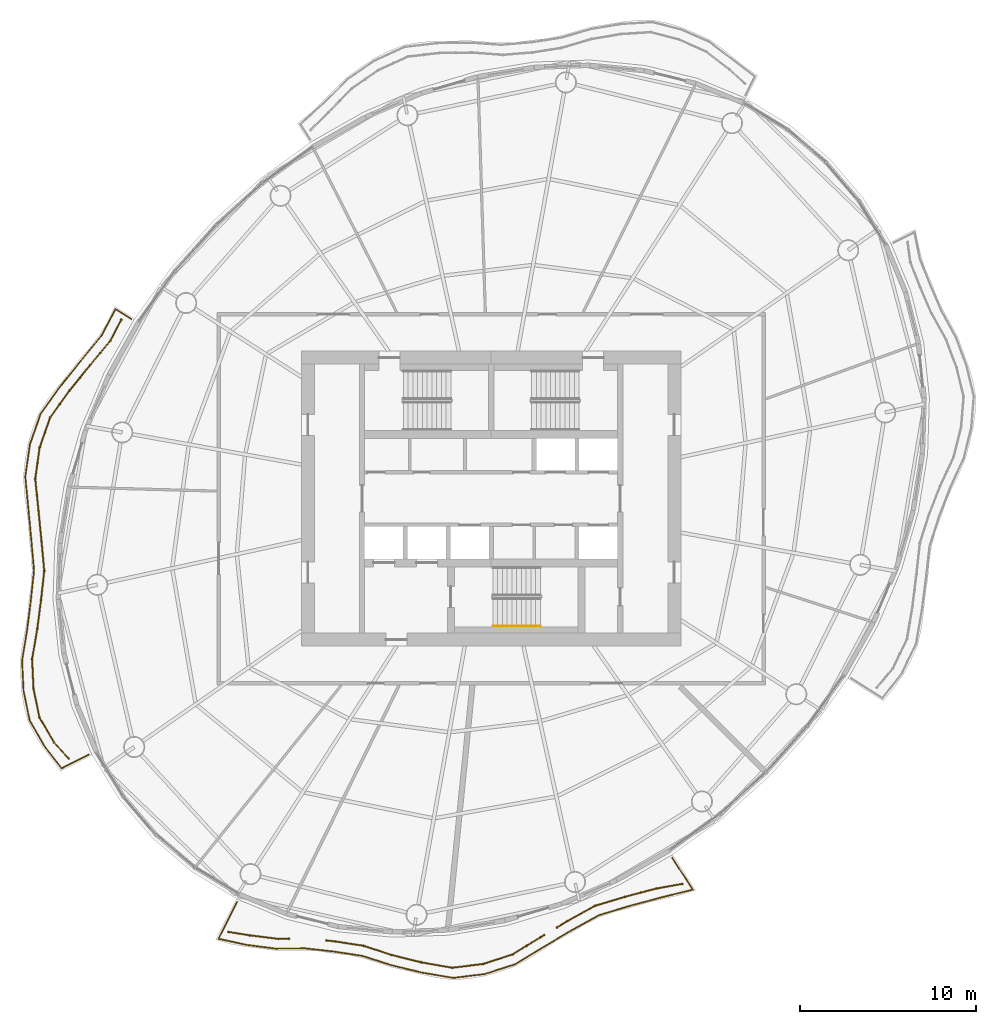
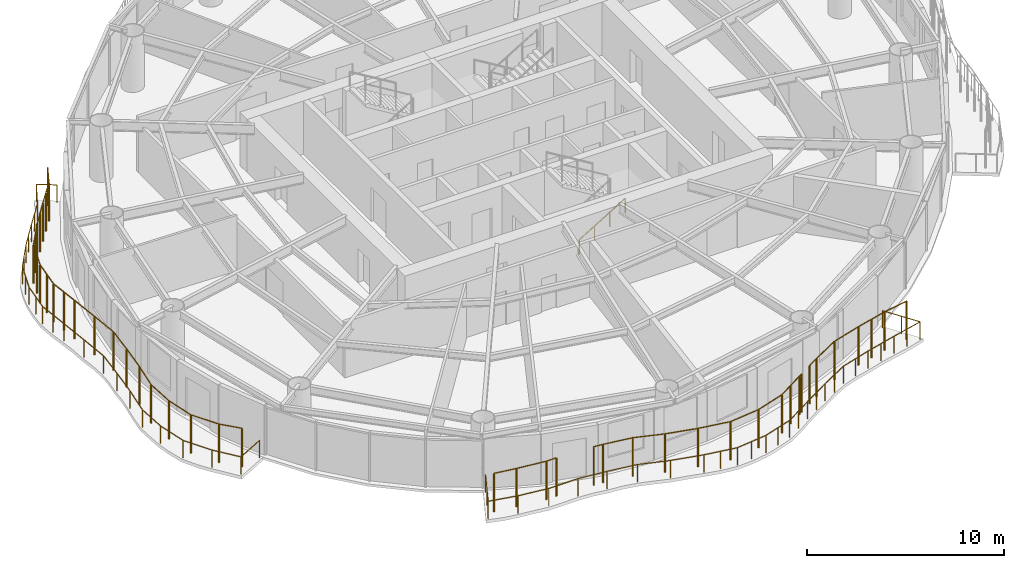
# One storey, part 12 of 14: 7 railings.
"""IFC4 building model written with IfcOpenShell, lengths in metres."""

from ifc_helpers import new_model, si_unit, direction, frame, origin, origin_2d, place, context, subcontext, project, spatial, circle, extrude, material, type_object, element, save


model = new_model("IFC4")

# Units and contexts
model_context = context("Model", 3, precision=1e-05, world=origin(), true_north=direction((0.0, 1.0)))
body_context = subcontext(model_context, "Body", "Model", "MODEL_VIEW")
ifc_project = project(units=[si_unit("LENGTHUNIT", "METRE"), si_unit("AREAUNIT", "SQUARE_METRE"), si_unit("VOLUMEUNIT", "CUBIC_METRE"), si_unit("PLANEANGLEUNIT", "RADIAN"), si_unit("MASSUNIT", "GRAM", prefix="KILO")], contexts=[model_context])

# Site, building, storey
site_placement = place(None, origin())
site = spatial("IfcSite", under=ifc_project, at=site_placement, CompositionType="ELEMENT")
building_placement = place(site_placement, origin())
building = spatial("IfcBuilding", under=site, at=building_placement, Name="Vermilion Reach Broadcast Tower", CompositionType="ELEMENT")
storey_placement = place(building_placement, frame((0.0, 0.0, 213.699951171875)))
storey = spatial("IfcBuildingStorey", under=building, at=storey_placement, Name="L52", CompositionType="ELEMENT", Elevation=213.699951171875)

# Railings
ifc_material_1 = material(Name="Terracotta baguette", Category="masonry")
railing_type_1 = type_object("IfcRailingType", Name="BAGUETTE SCREEN", PredefinedType="USERDEFINED", material=ifc_material_1)
railing_1_placement = place(storey_placement, frame((-27.052490234375, 10.18798828125, 0.0)))
element("IfcRailing", 1, at=railing_1_placement, inside=storey, type_object=railing_type_1, Name="Baguette screen L52 group 2", ObjectType="BAGUETTE SCREEN", PredefinedType="USERDEFINED", context=body_context, shape_type="SweptSolid", body=[
    extrude(circle(Radius=0.030029296875, at=origin_2d()), frame((0.0, 0.0, 2.369873046875), z_axis=(-0.460423485427, -0.887699393977, 0.0), x_axis=(0.887699393977, -0.460423485427, 0.0)), (0.0, 0.0, 1.0), 1.340576171875),
    extrude(circle(Radius=0.030029296875, at=origin_2d()), frame((-0.6171875, -1.18994140625, 2.369873046875), z_axis=(-0.638902336202, -0.769287855614, 0.0), x_axis=(0.769287855614, -0.638902336202, 0.0)), (0.0, 0.0, 1.0), 1.8369140625),
    extrude(circle(Radius=0.030029296875, at=origin_2d()), frame((-1.790771484375, -2.60302734375, 2.369873046875), z_axis=(-0.627538412684, -0.778585602619, 0.0), x_axis=(0.778585602619, -0.627538412684, 0.0)), (0.0, 0.0, 1.0), 1.8505859375),
    extrude(circle(Radius=0.030029296875, at=origin_2d()), frame((-2.9521484375, -4.0439453125, 2.369873046875), z_axis=(-0.584092894691, -0.811686817911, 0.0), x_axis=(0.811686817911, -0.584092894691, 0.0)), (0.0, 0.0, 1.0), 1.882568359375),
    extrude(circle(Radius=0.030029296875, at=origin_2d()), frame((-4.0517578125, -5.572021484375, 2.369873046875), z_axis=(-0.330971411696, -0.943640781569, 0.0), x_axis=(0.943640781569, -0.330971411696, 0.0)), (0.0, 0.0, 1.0), 1.803466796875),
    extrude(circle(Radius=0.030029296875, at=origin_2d()), frame((-4.648681640625, -7.27392578125, 2.369873046875), z_axis=(-0.13912289106, -0.990275123985, 0.0), x_axis=(0.990275123985, -0.13912289106, 0.0)), (0.0, 0.0, 1.0), 1.814453125),
    extrude(circle(Radius=0.030029296875, at=origin_2d()), frame((-4.901123046875, -9.07080078125, 2.369873046875), z_axis=(0.102812144868, -0.994700790624, 0.0), x_axis=(0.994700790624, 0.102812144868, 0.0)), (0.0, 0.0, 1.0), 1.81884765625),
    extrude(circle(Radius=0.030029296875, at=origin_2d()), frame((-4.714111328125, -10.880126953125, 2.369873046875), z_axis=(0.09803460851, -0.995183006052, 0.0), x_axis=(0.995183006052, 0.09803460851, 0.0)), (0.0, 0.0, 1.0), 1.7607421875),
    extrude(circle(Radius=0.030029296875, at=origin_2d()), frame((-4.54150390625, -12.63232421875, 2.369873046875), z_axis=(0.091482896429, -0.995806647729, 0.0), x_axis=(0.995806647729, 0.091482896429, 0.0)), (0.0, 0.0, 1.0), 1.67333984375),
    extrude(circle(Radius=0.030029296875, at=origin_2d()), frame((-4.388427734375, -14.298583984375, 2.369873046875), z_axis=(-0.108513469623, -0.994094978818, 0.0), x_axis=(0.994094978818, -0.108513469623, 0.0)), (0.0, 0.0, 1.0), 1.66259765625),
    extrude(circle(Radius=0.030029296875, at=origin_2d()), frame((-4.56884765625, -15.951416015625, 2.369873046875), z_axis=(-0.129043862822, -0.991638886626, 0.0), x_axis=(0.991638886626, -0.129043862822, 0.0)), (0.0, 0.0, 1.0), 1.6611328125),
    extrude(circle(Radius=0.030029296875, at=origin_2d()), frame((-4.783203125, -17.5986328125, 2.369873046875), z_axis=(-0.169072586116, -0.985603602177, 0.0), x_axis=(0.985603602177, -0.169072586116, 0.0)), (0.0, 0.0, 1.0), 1.744384765625),
    extrude(circle(Radius=0.030029296875, at=origin_2d()), frame((-5.078125, -19.31787109375, 2.369873046875), z_axis=(0.044891959312, -0.998991847809, 0.0), x_axis=(0.998991847809, 0.044891959312, 0.0)), (0.0, 0.0, 1.0), 1.675048828125),
    extrude(circle(Radius=0.030029296875, at=origin_2d()), frame((-5.0029296875, -20.9912109375, 2.369873046875), z_axis=(0.201624188355, -0.979462958294, 0.0), x_axis=(0.979462958294, 0.201624188355, 0.0)), (0.0, 0.0, 1.0), 1.67822265625),
    extrude(circle(Radius=0.030029296875, at=origin_2d()), frame((-4.66455078125, -22.635009765625, 2.369873046875), z_axis=(0.504227658984, -0.863570766015, 0.0), x_axis=(0.863570766015, 0.504227658984, 0.0)), (0.0, 0.0, 1.0), 1.659912109375),
    extrude(circle(Radius=0.030029296875, at=origin_2d()), frame((-3.82763671875, -24.068359375, 2.369873046875), z_axis=(0.672652912244, -0.739958147228, 0.0), x_axis=(0.739958147228, 0.672652912244, 0.0)), (0.0, 0.0, 1.0), 1.222412109375),
    extrude(circle(Radius=0.050048828125, at=origin_2d()), origin(), (0.0, 0.0, 1.0), 2.33984375),
    extrude(circle(Radius=0.050048828125, at=origin_2d()), frame((-0.6171875, -1.18994140625, 0.0)), (0.0, 0.0, 1.0), 2.33984375),
    extrude(circle(Radius=0.050048828125, at=origin_2d()), frame((-1.2041015625, -1.896484375, 0.0)), (0.0, 0.0, 1.0), 2.33984375),
    extrude(circle(Radius=0.050048828125, at=origin_2d()), frame((-1.790771484375, -2.60302734375, 0.0)), (0.0, 0.0, 1.0), 2.33984375),
    extrude(circle(Radius=0.050048828125, at=origin_2d()), frame((-2.37158203125, -3.323486328125, 0.0)), (0.0, 0.0, 1.0), 2.33984375),
    extrude(circle(Radius=0.050048828125, at=origin_2d()), frame((-2.9521484375, -4.0439453125, 0.0)), (0.0, 0.0, 1.0), 2.33984375),
    extrude(circle(Radius=0.050048828125, at=origin_2d()), frame((-3.501953125, -4.80810546875, 0.0)), (0.0, 0.0, 1.0), 2.33984375),
    extrude(circle(Radius=0.050048828125, at=origin_2d()), frame((-4.0517578125, -5.572021484375, 0.0)), (0.0, 0.0, 1.0), 2.33984375),
    extrude(circle(Radius=0.050048828125, at=origin_2d()), frame((-4.35009765625, -6.4228515625, 0.0)), (0.0, 0.0, 1.0), 2.33984375),
    extrude(circle(Radius=0.050048828125, at=origin_2d()), frame((-4.648681640625, -7.27392578125, 0.0)), (0.0, 0.0, 1.0), 2.33984375),
    extrude(circle(Radius=0.050048828125, at=origin_2d()), frame((-4.77490234375, -8.17236328125, 0.0)), (0.0, 0.0, 1.0), 2.33984375),
    extrude(circle(Radius=0.050048828125, at=origin_2d()), frame((-4.901123046875, -9.07080078125, 0.0)), (0.0, 0.0, 1.0), 2.33984375),
    extrude(circle(Radius=0.050048828125, at=origin_2d()), frame((-4.8076171875, -9.9755859375, 0.0)), (0.0, 0.0, 1.0), 2.33984375),
    extrude(circle(Radius=0.050048828125, at=origin_2d()), frame((-4.714111328125, -10.880126953125, 0.0)), (0.0, 0.0, 1.0), 2.33984375),
    extrude(circle(Radius=0.050048828125, at=origin_2d()), frame((-4.54150390625, -12.63232421875, 0.0)), (0.0, 0.0, 1.0), 2.33984375),
    extrude(circle(Radius=0.050048828125, at=origin_2d()), frame((-4.388427734375, -14.298583984375, 0.0)), (0.0, 0.0, 1.0), 2.33984375),
    extrude(circle(Radius=0.050048828125, at=origin_2d()), frame((-4.56884765625, -15.951416015625, 0.0)), (0.0, 0.0, 1.0), 2.33984375),
    extrude(circle(Radius=0.050048828125, at=origin_2d()), frame((-4.783203125, -17.5986328125, 0.0)), (0.0, 0.0, 1.0), 2.33984375),
    extrude(circle(Radius=0.050048828125, at=origin_2d()), frame((-5.078125, -19.31787109375, 0.0)), (0.0, 0.0, 1.0), 2.33984375),
    extrude(circle(Radius=0.050048828125, at=origin_2d()), frame((-5.0029296875, -20.9912109375, 0.0)), (0.0, 0.0, 1.0), 2.33984375),
    extrude(circle(Radius=0.050048828125, at=origin_2d()), frame((-4.66455078125, -22.635009765625, 0.0)), (0.0, 0.0, 1.0), 2.33984375),
    extrude(circle(Radius=0.050048828125, at=origin_2d()), frame((-3.82763671875, -24.068359375, 0.0)), (0.0, 0.0, 1.0), 2.33984375),
    extrude(circle(Radius=0.050048828125, at=origin_2d()), frame((-3.00537109375, -24.972900390625, 0.0)), (0.0, 0.0, 1.0), 2.33984375),
])
railing_2_placement = place(storey_placement, frame((-20.95703125, -24.65966796875, 0.0)))
element("IfcRailing", 2, at=railing_2_placement, inside=storey, type_object=railing_type_1, Name="Baguette screen L52 group 3 part 1", ObjectType="BAGUETTE SCREEN", PredefinedType="USERDEFINED", context=body_context, shape_type="SweptSolid", body=[
    extrude(circle(Radius=0.030029296875, at=origin_2d()), frame((0.0, 0.0, 2.369873046875), z_axis=(0.987264246208, -0.159088994466, 0.0), x_axis=(0.159088994466, 0.987264246208, 0.0)), (0.0, 0.0, 1.0), 1.230712890625),
    extrude(circle(Radius=0.030029296875, at=origin_2d()), frame((1.215087890625, -0.19580078125, 2.369873046875), z_axis=(0.992371063265, -0.123286953059, 0.0), x_axis=(0.123286953059, 0.992371063265, 0.0)), (0.0, 0.0, 1.0), 1.6474609375),
    extrude(circle(Radius=0.030029296875, at=origin_2d()), frame((2.85009765625, -0.39892578125, 2.369873046875), z_axis=(0.999917963105, 0.01280886647, 0.0), x_axis=(-0.01280886647, 0.999917963105, 0.0)), (0.0, 0.0, 1.0), 0.5908203125),
    extrude(circle(Radius=0.050048828125, at=origin_2d()), origin(), (0.0, 0.0, 1.0), 2.33984375),
    extrude(circle(Radius=0.050048828125, at=origin_2d()), frame((1.215087890625, -0.19580078125, 0.0)), (0.0, 0.0, 1.0), 2.33984375),
    extrude(circle(Radius=0.050048828125, at=origin_2d()), frame((2.85009765625, -0.39892578125, 0.0)), (0.0, 0.0, 1.0), 2.33984375),
    extrude(circle(Radius=0.050048828125, at=origin_2d()), frame((3.44091796875, -0.391357421875, 0.0)), (0.0, 0.0, 1.0), 2.33984375),
])
railing_3_placement = place(storey_placement, frame((-15.377685546875, -25.149658203125, 0.0)))
element("IfcRailing", 3, at=railing_3_placement, inside=storey, type_object=railing_type_1, Name="Baguette screen L52 group 3 part 2", ObjectType="BAGUETTE SCREEN", PredefinedType="USERDEFINED", context=body_context, shape_type="SweptSolid", body=[
    extrude(circle(Radius=0.030029296875, at=origin_2d()), frame((0.0, 0.0, 2.369873046875), z_axis=(0.994338955631, -0.106254606085, 0.0), x_axis=(0.106254606085, 0.994338955631, 0.0)), (0.0, 0.0, 1.0), 0.526123046875),
    extrude(circle(Radius=0.030029296875, at=origin_2d()), frame((0.523193359375, -0.055908203125, 2.369873046875), z_axis=(0.988284010952, -0.152626058379, 0.0), x_axis=(0.152626058379, 0.988284010952, 0.0)), (0.0, 0.0, 1.0), 1.6123046875),
    extrude(circle(Radius=0.030029296875, at=origin_2d()), frame((2.11669921875, -0.302001953125, 2.369873046875), z_axis=(0.95019988071, -0.311641118432, 0.0), x_axis=(0.311641118432, 0.95019988071, 0.0)), (0.0, 0.0, 1.0), 1.677978515625),
    extrude(circle(Radius=0.030029296875, at=origin_2d()), frame((3.711181640625, -0.824951171875, 2.369873046875), z_axis=(0.970698761228, -0.240299635767, 0.0), x_axis=(0.240299635767, 0.970698761228, 0.0)), (0.0, 0.0, 1.0), 1.74755859375),
    extrude(circle(Radius=0.030029296875, at=origin_2d()), frame((5.407470703125, -1.244873046875, 2.369873046875), z_axis=(0.984834885977, -0.173494228618, 0.0), x_axis=(0.173494228618, 0.984834885977, 0.0)), (0.0, 0.0, 1.0), 1.770263671875),
    extrude(circle(Radius=0.030029296875, at=origin_2d()), frame((7.15087890625, -1.552001953125, 2.369873046875), z_axis=(0.992610756415, 0.121342021782, 0.0), x_axis=(-0.121342021782, 0.992610756415, 0.0)), (0.0, 0.0, 1.0), 1.774658203125),
    extrude(circle(Radius=0.030029296875, at=origin_2d()), frame((8.912353515625, -1.336669921875, 2.369873046875), z_axis=(0.951424380127, 0.307882524513, 0.0), x_axis=(-0.307882524513, 0.951424380127, 0.0)), (0.0, 0.0, 1.0), 1.775390625),
    extrude(circle(Radius=0.030029296875, at=origin_2d()), frame((10.6015625, -0.7900390625, 2.369873046875), z_axis=(0.851554667391, 0.524265818497, 0.0), x_axis=(-0.524265818497, 0.851554667391, 0.0)), (0.0, 0.0, 1.0), 1.8603515625),
    extrude(circle(Radius=0.030029296875, at=origin_2d()), frame((12.185791015625, 0.185302734375, 2.369873046875), z_axis=(0.857675446499, 0.514191431737, 0.0), x_axis=(-0.514191431737, 0.857675446499, 0.0)), (0.0, 0.0, 1.0), 0.236083984375),
    extrude(circle(Radius=0.050048828125, at=origin_2d()), origin(), (0.0, 0.0, 1.0), 2.33984375),
    extrude(circle(Radius=0.050048828125, at=origin_2d()), frame((0.523193359375, -0.055908203125, 0.0)), (0.0, 0.0, 1.0), 2.33984375),
    extrude(circle(Radius=0.050048828125, at=origin_2d()), frame((2.11669921875, -0.302001953125, 0.0)), (0.0, 0.0, 1.0), 2.33984375),
    extrude(circle(Radius=0.050048828125, at=origin_2d()), frame((3.711181640625, -0.824951171875, 0.0)), (0.0, 0.0, 1.0), 2.33984375),
    extrude(circle(Radius=0.050048828125, at=origin_2d()), frame((5.407470703125, -1.244873046875, 0.0)), (0.0, 0.0, 1.0), 2.33984375),
    extrude(circle(Radius=0.050048828125, at=origin_2d()), frame((7.15087890625, -1.552001953125, 0.0)), (0.0, 0.0, 1.0), 2.33984375),
    extrude(circle(Radius=0.050048828125, at=origin_2d()), frame((8.912353515625, -1.336669921875, 0.0)), (0.0, 0.0, 1.0), 2.33984375),
    extrude(circle(Radius=0.050048828125, at=origin_2d()), frame((10.6015625, -0.7900390625, 0.0)), (0.0, 0.0, 1.0), 2.33984375),
    extrude(circle(Radius=0.050048828125, at=origin_2d()), frame((11.3935546875, -0.30224609375, 0.0)), (0.0, 0.0, 1.0), 2.33984375),
    extrude(circle(Radius=0.050048828125, at=origin_2d()), frame((12.185791015625, 0.185302734375, 0.0)), (0.0, 0.0, 1.0), 2.33984375),
    extrude(circle(Radius=0.050048828125, at=origin_2d()), frame((12.38818359375, 0.306640625, 0.0)), (0.0, 0.0, 1.0), 2.33984375),
])
railing_4_placement = place(storey_placement, frame((-2.260986328125, -24.405517578125, 0.0)))
element("IfcRailing", 4, at=railing_4_placement, inside=storey, type_object=railing_type_1, Name="Baguette screen L52 group 3 part 3", ObjectType="BAGUETTE SCREEN", PredefinedType="USERDEFINED", context=body_context, shape_type="SweptSolid", body=[
    extrude(circle(Radius=0.030029296875, at=origin_2d()), frame((0.0, 0.0, 2.369873046875), z_axis=(0.857279860929, 0.514850696849, 0.0), x_axis=(-0.514850696849, 0.857279860929, 0.0)), (0.0, 0.0, 1.0), 0.7080078125),
    extrude(circle(Radius=0.030029296875, at=origin_2d()), frame((0.60693359375, 0.364501953125, 2.369873046875), z_axis=(0.874312492268, 0.485363436884, 0.0), x_axis=(-0.485363436884, 0.874312492268, 0.0)), (0.0, 0.0, 1.0), 1.780029296875),
    extrude(circle(Radius=0.030029296875, at=origin_2d()), frame((2.163330078125, 1.228515625, 2.369873046875), z_axis=(0.957618504132, 0.288039581558, 0.0), x_axis=(-0.288039581558, 0.957618504132, 0.0)), (0.0, 0.0, 1.0), 1.78076171875),
    extrude(circle(Radius=0.030029296875, at=origin_2d()), frame((3.86865234375, 1.741455078125, 2.369873046875), z_axis=(0.96720194559, 0.254008654277, 0.0), x_axis=(-0.254008654277, 0.96720194559, 0.0)), (0.0, 0.0, 1.0), 1.85986328125),
    extrude(circle(Radius=0.030029296875, at=origin_2d()), frame((5.66748046875, 2.2138671875, 2.369873046875), z_axis=(0.984267539346, 0.176684495614, 0.0), x_axis=(-0.176684495614, 0.984267539346, 0.0)), (0.0, 0.0, 1.0), 1.484130859375),
    extrude(circle(Radius=0.050048828125, at=origin_2d()), origin(), (0.0, 0.0, 1.0), 2.33984375),
    extrude(circle(Radius=0.050048828125, at=origin_2d()), frame((0.60693359375, 0.364501953125, 0.0)), (0.0, 0.0, 1.0), 2.33984375),
    extrude(circle(Radius=0.050048828125, at=origin_2d()), frame((2.163330078125, 1.228515625, 0.0)), (0.0, 0.0, 1.0), 2.33984375),
    extrude(circle(Radius=0.050048828125, at=origin_2d()), frame((3.86865234375, 1.741455078125, 0.0)), (0.0, 0.0, 1.0), 2.33984375),
    extrude(circle(Radius=0.050048828125, at=origin_2d()), frame((4.76806640625, 1.9775390625, 0.0)), (0.0, 0.0, 1.0), 2.33984375),
    extrude(circle(Radius=0.050048828125, at=origin_2d()), frame((5.66748046875, 2.2138671875, 0.0)), (0.0, 0.0, 1.0), 2.33984375),
    extrude(circle(Radius=0.050048828125, at=origin_2d()), frame((7.128173828125, 2.47607421875, 0.0)), (0.0, 0.0, 1.0), 2.33984375),
])
ifc_material_2 = material(Name="Stainless steel 316 balustrade", Category="steel")
railing_type_2 = type_object("IfcRailingType", Name="Balcony guard 1100", PredefinedType="BALUSTRADE", material=ifc_material_2)
railing_5_placement = place(storey_placement, frame((-26.48828125, 10.2197265625, 0.0)))
element("IfcRailing", 5, at=railing_5_placement, inside=storey, type_object=railing_type_2, Name="Balcony guard L52 group 2", PredefinedType="BALUSTRADE", context=body_context, shape_type="SweptSolid", body=[
    extrude(circle(Radius=0.02490234375, at=origin_2d()), frame((0.0, 0.0, 1.0751953125), z_axis=(-0.843728054529, 0.536770872906, 0.0), x_axis=(-0.536770872906, -0.843728054529, 0.0)), (0.0, 0.0, 1.0), 1.05712890625),
    extrude(circle(Radius=0.02490234375, at=origin_2d()), frame((-0.891845703125, 0.5673828125, 1.0751953125), z_axis=(-0.467182391972, -0.88416096534, 0.0), x_axis=(0.88416096534, -0.467182391972, 0.0)), (0.0, 0.0, 1.0), 1.7021484375),
    extrude(circle(Radius=0.02490234375, at=origin_2d()), frame((-1.68701171875, -0.9375, 1.0751953125), z_axis=(-0.636050605807, -0.771647346171, 0.0), x_axis=(0.771647346171, -0.636050605807, 0.0)), (0.0, 0.0, 1.0), 1.868896484375),
    extrude(circle(Radius=0.02490234375, at=origin_2d()), frame((-2.875732421875, -2.379638671875, 1.0751953125), z_axis=(-0.624204627721, -0.781260892872, 0.0), x_axis=(0.781260892872, -0.624204627721, 0.0)), (0.0, 0.0, 1.0), 1.882568359375),
    extrude(circle(Radius=0.02490234375, at=origin_2d()), frame((-4.05078125, -3.850341796875, 1.0751953125), z_axis=(-0.580490364428, -0.814267116373, 0.0), x_axis=(0.814267116373, -0.580490364428, 0.0)), (0.0, 0.0, 1.0), 1.915283203125),
    extrude(circle(Radius=0.02490234375, at=origin_2d()), frame((-5.16259765625, -5.409912109375, 1.0751953125), z_axis=(-0.330581236257, -0.94377754065, 0.0), x_axis=(0.94377754065, -0.330581236257, 0.0)), (0.0, 0.0, 1.0), 1.83740234375),
    extrude(circle(Radius=0.02490234375, at=origin_2d()), frame((-5.77001953125, -7.14404296875, 1.0751953125), z_axis=(-0.141236558276, -0.98997587577, 0.0), x_axis=(0.98997587577, -0.141236558276, 0.0)), (0.0, 0.0, 1.0), 1.849609375),
    extrude(circle(Radius=0.02490234375, at=origin_2d()), frame((-6.03125, -8.97509765625, 1.0751953125), z_axis=(0.097364162072, -0.995248823131, 0.0), x_axis=(0.995248823131, 0.097364162072, 0.0)), (0.0, 0.0, 1.0), 1.85302734375),
    extrude(circle(Radius=0.02490234375, at=origin_2d()), frame((-5.850830078125, -10.8193359375, 1.0751953125), z_axis=(0.093328083827, -0.99563540956, 0.0), x_axis=(0.99563540956, 0.093328083827, 0.0)), (0.0, 0.0, 1.0), 1.797119140625),
    extrude(circle(Radius=0.02490234375, at=origin_2d()), frame((-5.68310546875, -12.608642578125, 1.0751953125), z_axis=(0.088243853407, -0.996098901885, 0.0), x_axis=(0.996098901885, 0.088243853407, 0.0)), (0.0, 0.0, 1.0), 1.709716796875),
    extrude(circle(Radius=0.02490234375, at=origin_2d()), frame((-5.5322265625, -14.311767578125, 1.0751953125), z_axis=(-0.106021479955, -0.994363839743, 0.0), x_axis=(0.994363839743, -0.106021479955, 0.0)), (0.0, 0.0, 1.0), 1.70166015625),
    extrude(circle(Radius=0.02490234375, at=origin_2d()), frame((-5.712646484375, -16.00390625, 1.0751953125), z_axis=(-0.124547449969, -0.992213652751, 0.0), x_axis=(0.992213652751, -0.124547449969, 0.0)), (0.0, 0.0, 1.0), 1.699462890625),
    extrude(circle(Radius=0.02490234375, at=origin_2d()), frame((-5.92431640625, -17.690185546875, 1.0751953125), z_axis=(-0.162067841296, -0.986779618161, 0.0), x_axis=(0.986779618161, -0.162067841296, 0.0)), (0.0, 0.0, 1.0), 1.78369140625),
    extrude(circle(Radius=0.02490234375, at=origin_2d()), frame((-6.21337890625, -19.4501953125, 1.0751953125), z_axis=(0.048802179923, -0.998808463738, 0.0), x_axis=(0.998808463738, 0.048802179923, 0.0)), (0.0, 0.0, 1.0), 1.7158203125),
    extrude(circle(Radius=0.02490234375, at=origin_2d()), frame((-6.129638671875, -21.1640625, 1.0751953125), z_axis=(0.203529445795, -0.97906882531, 0.0), x_axis=(0.97906882531, 0.203529445795, 0.0)), (0.0, 0.0, 1.0), 1.721435546875),
    extrude(circle(Radius=0.02490234375, at=origin_2d()), frame((-5.779296875, -22.849365234375, 1.0751953125), z_axis=(0.500549977945, -0.865707640939, 0.0), x_axis=(0.865707640939, 0.500549977945, 0.0)), (0.0, 0.0, 1.0), 1.7021484375),
    extrude(circle(Radius=0.02490234375, at=origin_2d()), frame((-4.92724609375, -24.322998046875, 1.0751953125), z_axis=(0.612282196665, -0.790639305655, 0.0), x_axis=(0.790639305655, 0.612282196665, 0.0)), (0.0, 0.0, 1.0), 1.5810546875),
    extrude(circle(Radius=0.02490234375, at=origin_2d()), frame((-3.959228515625, -25.572998046875, 1.0751953125), z_axis=(0.890668060763, 0.454654160364, 0.0), x_axis=(-0.454654160364, 0.890668060763, 0.0)), (0.0, 0.0, 1.0), 1.741943359375),
    extrude(circle(Radius=0.02490234375, at=origin_2d()), origin(), (0.0, 0.0, 1.0), 1.050048828125),
    extrude(circle(Radius=0.02490234375, at=origin_2d()), frame((-0.891845703125, 0.5673828125, 0.0)), (0.0, 0.0, 1.0), 1.050048828125),
    extrude(circle(Radius=0.02490234375, at=origin_2d()), frame((-1.68701171875, -0.9375, 0.0)), (0.0, 0.0, 1.0), 1.050048828125),
    extrude(circle(Radius=0.02490234375, at=origin_2d()), frame((-2.28125, -1.65869140625, 0.0)), (0.0, 0.0, 1.0), 1.050048828125),
    extrude(circle(Radius=0.02490234375, at=origin_2d()), frame((-2.875732421875, -2.379638671875, 0.0)), (0.0, 0.0, 1.0), 1.050048828125),
    extrude(circle(Radius=0.02490234375, at=origin_2d()), frame((-3.46337890625, -3.114990234375, 0.0)), (0.0, 0.0, 1.0), 1.050048828125),
    extrude(circle(Radius=0.02490234375, at=origin_2d()), frame((-4.05078125, -3.850341796875, 0.0)), (0.0, 0.0, 1.0), 1.050048828125),
    extrude(circle(Radius=0.02490234375, at=origin_2d()), frame((-4.606689453125, -4.630126953125, 0.0)), (0.0, 0.0, 1.0), 1.050048828125),
    extrude(circle(Radius=0.02490234375, at=origin_2d()), frame((-5.16259765625, -5.409912109375, 0.0)), (0.0, 0.0, 1.0), 1.050048828125),
    extrude(circle(Radius=0.02490234375, at=origin_2d()), frame((-5.46630859375, -6.27685546875, 0.0)), (0.0, 0.0, 1.0), 1.050048828125),
    extrude(circle(Radius=0.02490234375, at=origin_2d()), frame((-5.77001953125, -7.14404296875, 0.0)), (0.0, 0.0, 1.0), 1.050048828125),
    extrude(circle(Radius=0.02490234375, at=origin_2d()), frame((-5.900634765625, -8.0595703125, 0.0)), (0.0, 0.0, 1.0), 1.050048828125),
    extrude(circle(Radius=0.02490234375, at=origin_2d()), frame((-6.03125, -8.97509765625, 0.0)), (0.0, 0.0, 1.0), 1.050048828125),
    extrude(circle(Radius=0.02490234375, at=origin_2d()), frame((-5.94091796875, -9.897216796875, 0.0)), (0.0, 0.0, 1.0), 1.050048828125),
    extrude(circle(Radius=0.02490234375, at=origin_2d()), frame((-5.850830078125, -10.8193359375, 0.0)), (0.0, 0.0, 1.0), 1.050048828125),
    extrude(circle(Radius=0.02490234375, at=origin_2d()), frame((-5.68310546875, -12.608642578125, 0.0)), (0.0, 0.0, 1.0), 1.050048828125),
    extrude(circle(Radius=0.02490234375, at=origin_2d()), frame((-5.5322265625, -14.311767578125, 0.0)), (0.0, 0.0, 1.0), 1.050048828125),
    extrude(circle(Radius=0.02490234375, at=origin_2d()), frame((-5.712646484375, -16.00390625, 0.0)), (0.0, 0.0, 1.0), 1.050048828125),
    extrude(circle(Radius=0.02490234375, at=origin_2d()), frame((-5.92431640625, -17.690185546875, 0.0)), (0.0, 0.0, 1.0), 1.050048828125),
    extrude(circle(Radius=0.02490234375, at=origin_2d()), frame((-6.21337890625, -19.4501953125, 0.0)), (0.0, 0.0, 1.0), 1.050048828125),
    extrude(circle(Radius=0.02490234375, at=origin_2d()), frame((-6.129638671875, -21.1640625, 0.0)), (0.0, 0.0, 1.0), 1.050048828125),
    extrude(circle(Radius=0.02490234375, at=origin_2d()), frame((-5.779296875, -22.849365234375, 0.0)), (0.0, 0.0, 1.0), 1.050048828125),
    extrude(circle(Radius=0.02490234375, at=origin_2d()), frame((-4.92724609375, -24.322998046875, 0.0)), (0.0, 0.0, 1.0), 1.050048828125),
    extrude(circle(Radius=0.02490234375, at=origin_2d()), frame((-3.959228515625, -25.572998046875, 0.0)), (0.0, 0.0, 1.0), 1.050048828125),
    extrude(circle(Radius=0.02490234375, at=origin_2d()), frame((-2.40771484375, -24.781005859375, 0.0)), (0.0, 0.0, 1.0), 1.050048828125),
])
railing_6_placement = place(storey_placement, frame((-20.46533203125, -22.956787109375, 0.0)))
element("IfcRailing", 6, at=railing_6_placement, inside=storey, type_object=railing_type_2, Name="Balcony guard L52 group 3", PredefinedType="BALUSTRADE", context=body_context, shape_type="SweptSolid", body=[
    extrude(circle(Radius=0.02490234375, at=origin_2d()), frame((0.0, 0.0, 1.0751953125), z_axis=(-0.450912760334, -0.892568026857, 0.0), x_axis=(0.892568026857, -0.450912760334, 0.0)), (0.0, 0.0, 1.0), 2.34716796875),
    extrude(circle(Radius=0.02490234375, at=origin_2d()), frame((-1.058349609375, -2.094970703125, 1.0751953125), z_axis=(0.977081103051, -0.212867371997, 0.0), x_axis=(0.212867371997, 0.977081103051, 0.0)), (0.0, 0.0, 1.0), 1.59765625),
    extrude(circle(Radius=0.02490234375, at=origin_2d()), frame((0.502685546875, -2.43505859375, 1.0751953125), z_axis=(0.991640648637, -0.129030321905, 0.0), x_axis=(0.129030321905, 0.991640648637, 0.0)), (0.0, 0.0, 1.0), 1.689697265625),
    extrude(circle(Radius=0.02490234375, at=origin_2d()), frame((2.17822265625, -2.653076171875, 1.0751953125), z_axis=(0.999982998296, 0.005831219305, 0.0), x_axis=(-0.005831219305, 0.999982998296, 0.0)), (0.0, 0.0, 1.0), 1.716552734375),
    extrude(circle(Radius=0.02490234375, at=origin_2d()), frame((3.894775390625, -2.64306640625, 1.0751953125), z_axis=(0.994034644899, -0.109064773142, 0.0), x_axis=(0.109064773142, 0.994034644899, 0.0)), (0.0, 0.0, 1.0), 1.62744140625),
    extrude(circle(Radius=0.02490234375, at=origin_2d()), frame((5.512451171875, -2.820556640625, 1.0751953125), z_axis=(0.988368283532, -0.152079374371, 0.0), x_axis=(0.152079374371, 0.988368283532, 0.0)), (0.0, 0.0, 1.0), 1.653564453125),
    extrude(circle(Radius=0.02490234375, at=origin_2d()), frame((7.146728515625, -3.072021484375, 1.0751953125), z_axis=(0.951945642374, -0.306267030489, 0.0), x_axis=(0.306267030489, 0.951945642374, 0.0)), (0.0, 0.0, 1.0), 1.71630859375),
    extrude(circle(Radius=0.02490234375, at=origin_2d()), frame((8.780517578125, -3.59765625, 1.0751953125), z_axis=(0.971979942147, -0.235063804242, 0.0), x_axis=(0.235063804242, 0.971979942147, 0.0)), (0.0, 0.0, 1.0), 1.785400390625),
    extrude(circle(Radius=0.02490234375, at=origin_2d()), frame((10.515869140625, -4.017333984375, 1.0751953125), z_axis=(0.985672371336, -0.168671207929, 0.0), x_axis=(0.168671207929, 0.985672371336, 0.0)), (0.0, 0.0, 1.0), 1.806396484375),
    extrude(circle(Radius=0.02490234375, at=origin_2d()), frame((12.29638671875, -4.322021484375, 1.0751953125), z_axis=(0.992587715523, 0.121530354201, 0.0), x_axis=(-0.121530354201, 0.992587715523, 0.0)), (0.0, 0.0, 1.0), 1.81201171875),
    extrude(circle(Radius=0.02490234375, at=origin_2d()), frame((14.094970703125, -4.101806640625, 1.0751953125), z_axis=(0.952091673304, 0.305812762364, 0.0), x_axis=(-0.305812762364, 0.952091673304, 0.0)), (0.0, 0.0, 1.0), 1.810546875),
    extrude(circle(Radius=0.02490234375, at=origin_2d()), frame((15.81884765625, -3.548095703125, 1.0751953125), z_axis=(0.85446473332, 0.519509402717, 0.0), x_axis=(-0.519509402717, 0.85446473332, 0.0)), (0.0, 0.0, 1.0), 1.894287109375),
    extrude(circle(Radius=0.02490234375, at=origin_2d()), frame((17.4375, -2.56396484375, 1.0751953125), z_axis=(0.859432722344, 0.511248858937, 0.0), x_axis=(-0.511248858937, 0.859432722344, 0.0)), (0.0, 0.0, 1.0), 1.82666015625),
    extrude(circle(Radius=0.02490234375, at=origin_2d()), frame((19.00732421875, -1.630126953125, 1.0751953125), z_axis=(0.875487357751, 0.483241023113, 0.0), x_axis=(-0.483241023113, 0.875487357751, 0.0)), (0.0, 0.0, 1.0), 1.813720703125),
    extrude(circle(Radius=0.02490234375, at=origin_2d()), frame((20.59521484375, -0.753662109375, 1.0751953125), z_axis=(0.956909972916, 0.290384751207, 0.0), x_axis=(-0.290384751207, 0.956909972916, 0.0)), (0.0, 0.0, 1.0), 1.8134765625),
    extrude(circle(Radius=0.02490234375, at=origin_2d()), frame((22.33056640625, -0.22705078125, 1.0751953125), z_axis=(0.966170636886, 0.257903664997, 0.0), x_axis=(-0.257903664997, 0.966170636886, 0.0)), (0.0, 0.0, 1.0), 1.891357421875),
    extrude(circle(Radius=0.02490234375, at=origin_2d()), frame((24.157958984375, 0.2607421875, 1.0751953125), z_axis=(0.970447918988, 0.241310663943, 0.0), x_axis=(-0.241310663943, 0.970447918988, 0.0)), (0.0, 0.0, 1.0), 1.8291015625),
    extrude(circle(Radius=0.02490234375, at=origin_2d()), frame((25.93310546875, 0.7021484375, 1.0751953125), z_axis=(-0.540499364918, 0.841344422055, 0.0), x_axis=(-0.841344422055, -0.540499364918, 0.0)), (0.0, 0.0, 1.0), 2.150634765625),
    extrude(circle(Radius=0.02490234375, at=origin_2d()), origin(), (0.0, 0.0, 1.0), 1.050048828125),
    extrude(circle(Radius=0.02490234375, at=origin_2d()), frame((-0.529296875, -1.04736328125, 0.0)), (0.0, 0.0, 1.0), 1.050048828125),
    extrude(circle(Radius=0.02490234375, at=origin_2d()), frame((-1.058349609375, -2.094970703125, 0.0)), (0.0, 0.0, 1.0), 1.050048828125),
    extrude(circle(Radius=0.02490234375, at=origin_2d()), frame((0.502685546875, -2.43505859375, 0.0)), (0.0, 0.0, 1.0), 1.050048828125),
    extrude(circle(Radius=0.02490234375, at=origin_2d()), frame((2.17822265625, -2.653076171875, 0.0)), (0.0, 0.0, 1.0), 1.050048828125),
    extrude(circle(Radius=0.02490234375, at=origin_2d()), frame((3.894775390625, -2.64306640625, 0.0)), (0.0, 0.0, 1.0), 1.050048828125),
    extrude(circle(Radius=0.02490234375, at=origin_2d()), frame((5.512451171875, -2.820556640625, 0.0)), (0.0, 0.0, 1.0), 1.050048828125),
    extrude(circle(Radius=0.02490234375, at=origin_2d()), frame((7.146728515625, -3.072021484375, 0.0)), (0.0, 0.0, 1.0), 1.050048828125),
    extrude(circle(Radius=0.02490234375, at=origin_2d()), frame((8.780517578125, -3.59765625, 0.0)), (0.0, 0.0, 1.0), 1.050048828125),
    extrude(circle(Radius=0.02490234375, at=origin_2d()), frame((10.515869140625, -4.017333984375, 0.0)), (0.0, 0.0, 1.0), 1.050048828125),
    extrude(circle(Radius=0.02490234375, at=origin_2d()), frame((11.40625, -4.169677734375, 0.0)), (0.0, 0.0, 1.0), 1.050048828125),
    extrude(circle(Radius=0.02490234375, at=origin_2d()), frame((12.29638671875, -4.322021484375, 0.0)), (0.0, 0.0, 1.0), 1.050048828125),
    extrude(circle(Radius=0.02490234375, at=origin_2d()), frame((13.19580078125, -4.2119140625, 0.0)), (0.0, 0.0, 1.0), 1.050048828125),
    extrude(circle(Radius=0.02490234375, at=origin_2d()), frame((14.094970703125, -4.101806640625, 0.0)), (0.0, 0.0, 1.0), 1.050048828125),
    extrude(circle(Radius=0.02490234375, at=origin_2d()), frame((14.95703125, -3.824951171875, 0.0)), (0.0, 0.0, 1.0), 1.050048828125),
    extrude(circle(Radius=0.02490234375, at=origin_2d()), frame((15.81884765625, -3.548095703125, 0.0)), (0.0, 0.0, 1.0), 1.050048828125),
    extrude(circle(Radius=0.02490234375, at=origin_2d()), frame((16.628173828125, -3.05615234375, 0.0)), (0.0, 0.0, 1.0), 1.050048828125),
    extrude(circle(Radius=0.02490234375, at=origin_2d()), frame((17.4375, -2.56396484375, 0.0)), (0.0, 0.0, 1.0), 1.050048828125),
    extrude(circle(Radius=0.02490234375, at=origin_2d()), frame((18.222412109375, -2.09716796875, 0.0)), (0.0, 0.0, 1.0), 1.050048828125),
    extrude(circle(Radius=0.02490234375, at=origin_2d()), frame((19.00732421875, -1.630126953125, 0.0)), (0.0, 0.0, 1.0), 1.050048828125),
    extrude(circle(Radius=0.02490234375, at=origin_2d()), frame((19.80126953125, -1.19189453125, 0.0)), (0.0, 0.0, 1.0), 1.050048828125),
    extrude(circle(Radius=0.02490234375, at=origin_2d()), frame((20.59521484375, -0.753662109375, 0.0)), (0.0, 0.0, 1.0), 1.050048828125),
    extrude(circle(Radius=0.02490234375, at=origin_2d()), frame((21.462890625, -0.490234375, 0.0)), (0.0, 0.0, 1.0), 1.050048828125),
    extrude(circle(Radius=0.02490234375, at=origin_2d()), frame((22.33056640625, -0.22705078125, 0.0)), (0.0, 0.0, 1.0), 1.050048828125),
    extrude(circle(Radius=0.02490234375, at=origin_2d()), frame((23.244140625, 0.016845703125, 0.0)), (0.0, 0.0, 1.0), 1.050048828125),
    extrude(circle(Radius=0.02490234375, at=origin_2d()), frame((24.157958984375, 0.2607421875, 0.0)), (0.0, 0.0, 1.0), 1.050048828125),
    extrude(circle(Radius=0.02490234375, at=origin_2d()), frame((25.04541015625, 0.4814453125, 0.0)), (0.0, 0.0, 1.0), 1.050048828125),
    extrude(circle(Radius=0.02490234375, at=origin_2d()), frame((25.93310546875, 0.7021484375, 0.0)), (0.0, 0.0, 1.0), 1.050048828125),
    extrude(circle(Radius=0.02490234375, at=origin_2d()), frame((25.35205078125, 1.60693359375, 0.0)), (0.0, 0.0, 1.0), 1.050048828125),
    extrude(circle(Radius=0.02490234375, at=origin_2d()), frame((24.770751953125, 2.511474609375, 0.0)), (0.0, 0.0, 1.0), 1.050048828125),
])
ifc_material_3 = material(Name="Stainless steel", Category="steel")
railing_type_3 = type_object("IfcRailingType", Name="Stair handrail", PredefinedType="HANDRAIL", material=ifc_material_3)
railing_7_placement = place(storey_placement, frame((-5.89990234375, -7.25, 0.16357421875)))
element("IfcRailing", 7, at=railing_7_placement, inside=storey, type_object=railing_type_3, Name="L52 ST3 stair handrail 1", PredefinedType="HANDRAIL", context=body_context, shape_type="SweptSolid", body=[
    extrude(circle(Radius=0.02392578125, at=origin_2d()), frame((0.0, 0.0, 0.8759765625), z_axis=(0.855178096276, 0.0, 0.518334277904), x_axis=(0.0, 1.0, 0.0)), (0.0, 0.0, 1.0), 3.1572265625),
    extrude(circle(Radius=0.02099609375, at=origin_2d()), origin(), (0.0, 0.0, 1.0), 0.851806640625),
    extrude(circle(Radius=0.02099609375, at=origin_2d()), frame((0.89990234375, 0.0, 0.54541015625)), (0.0, 0.0, 1.0), 0.851806640625),
    extrude(circle(Radius=0.02099609375, at=origin_2d()), frame((1.800048828125, 0.0, 1.091064453125)), (0.0, 0.0, 1.0), 0.851806640625),
    extrude(circle(Radius=0.02099609375, at=origin_2d()), frame((2.699951171875, 0.0, 1.636474609375)), (0.0, 0.0, 1.0), 0.851806640625),
])

save(model, "model.ifc")
